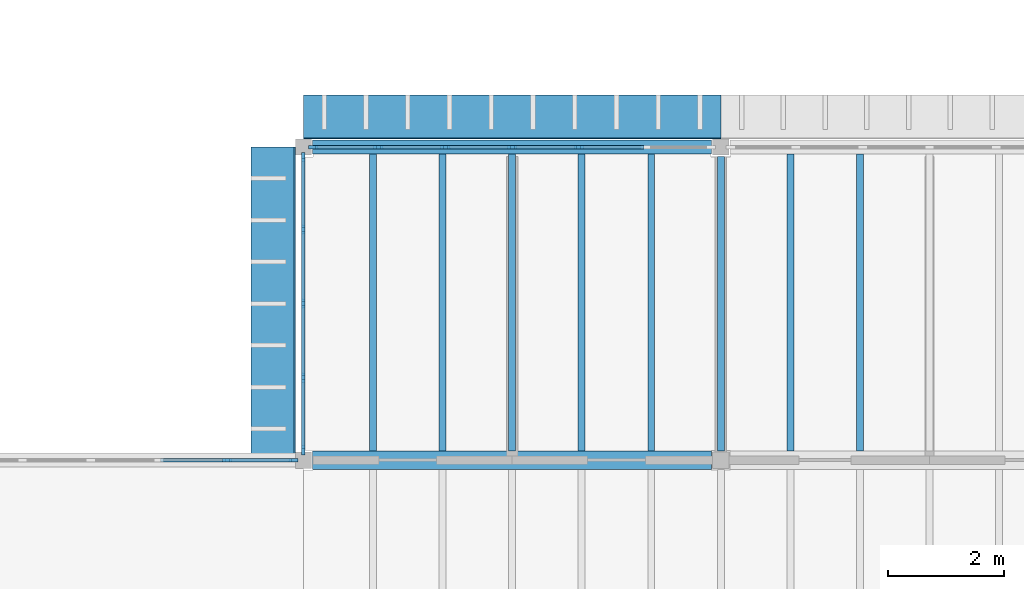
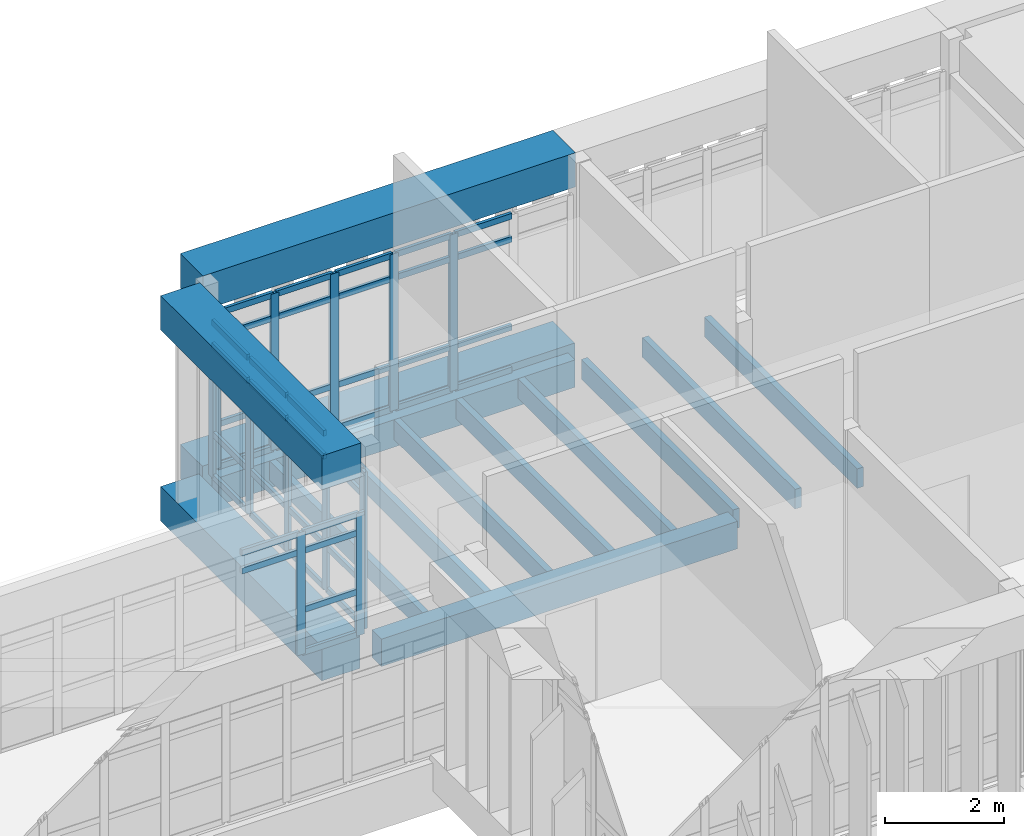
# One storey, part 13 of 51: 58 members, 10 beams, 3 elements without a shape of their own.
"""IFC4 building model written with IfcOpenShell, lengths in metres."""

from ifc_helpers import new_model, si_unit, direction, frame, origin, origin_2d, place, context, subcontext, project, spatial, rectangle, extrude, material, layer, layer_set, material_profile, profile_set, type_object, element, aggregate, save


model = new_model("IFC4")

# Units and contexts
model_context = context("Model", 3, precision=1e-05, world=origin(), true_north=direction((0.0, 1.0)))
body_context = subcontext(model_context, "Body", "Model", "MODEL_VIEW")
ifc_project = project(units=[si_unit("LENGTHUNIT", "METRE"), si_unit("AREAUNIT", "SQUARE_METRE"), si_unit("VOLUMEUNIT", "CUBIC_METRE"), si_unit("PLANEANGLEUNIT", "RADIAN"), si_unit("MASSUNIT", "GRAM", prefix="KILO")], contexts=[model_context])

# Site, building, storey
site_placement = place(None, origin())
site = spatial("IfcSite", under=ifc_project, at=site_placement, CompositionType="ELEMENT")
building_placement = place(site_placement, origin())
building = spatial("IfcBuilding", under=site, at=building_placement, Name="Mazhai Court Health Centre", CompositionType="ELEMENT")
storey_placement = place(building_placement, frame((0.0, 0.0, 14.10009765625)))
storey = spatial("IfcBuildingStorey", under=building, at=storey_placement, Name="L03", CompositionType="ELEMENT", Elevation=14.10009765625)

# Curtain wall, members
ifc_material_1 = material(Name="Teak timber frame, glazed", Category="wood")
ifc_layer = layer(ifc_material_1, 0.10009765625)
ifc_layer_set = layer_set([ifc_layer], Name="CURTAIN WALL TIMBER 1200")
curtain_wall_type = type_object("IfcCurtainWallType", Name="CURTAIN WALL TIMBER 1200", PredefinedType="NOTDEFINED", material=ifc_layer_set)
curtain_wall_1_placement = place(storey_placement, origin())
curtain_wall_1 = element("IfcCurtainWall", 1, at=curtain_wall_1_placement, inside=storey, type_object=curtain_wall_type, Name="CW-V4-L03-B5", PredefinedType="NOTDEFINED")
ifc_material_2 = material(Name="Teak timber", Category="wood")
ifc_material_profile_1 = material_profile(ifc_material_2, rectangle(XDim=0.06005859375, YDim=0.159912109375, at=origin_2d()), Name="CW MULLION 60x160")
ifc_profile_set_1 = profile_set([ifc_material_profile_1], Name="Teak timber")
member_type_1 = type_object("IfcMemberType", Name="CW MULLION 60x160", PredefinedType="MULLION", material=ifc_profile_set_1)
member_1_placement = place(storey_placement, frame((107.169921875, 27.800048828125, 0.0), z_axis=(0.0, 0.0, 1.0), x_axis=(0.0, 1.0, 0.0)))
member_1 = element("IfcMember", 2, at=member_1_placement, type_object=member_type_1, Name="CW mullion 1", PredefinedType="MULLION", context=body_context, shape_type="SweptSolid", body=[
    extrude(rectangle(XDim=0.06005859375, YDim=0.159912109375, at=origin_2d()), origin(), (0.0, 0.0, 1.0), 3.199951171875),
])
member_2_placement = place(storey_placement, frame((108.293212890625, 27.800048828125, 0.0), z_axis=(0.0, 0.0, 1.0), x_axis=(0.0, 1.0, 0.0)))
member_2 = element("IfcMember", 3, at=member_2_placement, type_object=member_type_1, Name="CW mullion 2", PredefinedType="MULLION", context=body_context, shape_type="SweptSolid", body=[
    extrude(rectangle(XDim=0.06005859375, YDim=0.159912109375, at=origin_2d()), origin(), (0.0, 0.0, 1.0), 3.199951171875),
])
member_3_placement = place(storey_placement, frame((109.44677734375, 27.800048828125, 0.0), z_axis=(0.0, 0.0, 1.0), x_axis=(0.0, 1.0, 0.0)))
member_3 = element("IfcMember", 4, at=member_3_placement, type_object=member_type_1, Name="CW mullion 3", PredefinedType="MULLION", context=body_context, shape_type="SweptSolid", body=[
    extrude(rectangle(XDim=0.06005859375, YDim=0.159912109375, at=origin_2d()), origin(), (0.0, 0.0, 1.0), 3.199951171875),
])
member_4_placement = place(storey_placement, frame((110.60009765625, 27.800048828125, 0.0), z_axis=(0.0, 0.0, 1.0), x_axis=(0.0, 1.0, 0.0)))
member_4 = element("IfcMember", 5, at=member_4_placement, type_object=member_type_1, Name="CW mullion 4", PredefinedType="MULLION", context=body_context, shape_type="SweptSolid", body=[
    extrude(rectangle(XDim=0.06005859375, YDim=0.159912109375, at=origin_2d()), origin(), (0.0, 0.0, 1.0), 3.199951171875),
])
member_5_placement = place(storey_placement, frame((111.75341796875, 27.800048828125, 0.0), z_axis=(0.0, 0.0, 1.0), x_axis=(0.0, 1.0, 0.0)))
member_5 = element("IfcMember", 6, at=member_5_placement, type_object=member_type_1, Name="CW mullion 5", PredefinedType="MULLION", context=body_context, shape_type="SweptSolid", body=[
    extrude(rectangle(XDim=0.06005859375, YDim=0.159912109375, at=origin_2d()), origin(), (0.0, 0.0, 1.0), 3.199951171875),
])

curtain_wall_2_placement = place(storey_placement, origin())
curtain_wall_2 = element("IfcCurtainWall", 7, at=curtain_wall_2_placement, inside=storey, type_object=curtain_wall_type, Name="CW-V4-L03-CW5-1", PredefinedType="NOTDEFINED")
member_6_placement = place(storey_placement, frame((107.0, 22.570068359375, 0.0), z_axis=(0.0, 0.0, 1.0), x_axis=(-1.0, 0.0, 0.0)))
member_6 = element("IfcMember", 8, at=member_6_placement, type_object=member_type_1, Name="CW mullion 1", PredefinedType="MULLION", context=body_context, shape_type="SweptSolid", body=[
    extrude(rectangle(XDim=0.06005859375, YDim=0.159912109375, at=origin_2d()), origin(), (0.0, 0.0, 1.0), 3.199951171875),
])
member_7_placement = place(storey_placement, frame((107.0, 23.820068359375, 0.0), z_axis=(0.0, 0.0, 1.0), x_axis=(-1.0, 0.0, 0.0)))
member_7 = element("IfcMember", 9, at=member_7_placement, type_object=member_type_1, Name="CW mullion 2", PredefinedType="MULLION", context=body_context, shape_type="SweptSolid", body=[
    extrude(rectangle(XDim=0.06005859375, YDim=0.159912109375, at=origin_2d()), origin(), (0.0, 0.0, 1.0), 3.199951171875),
])
member_8_placement = place(storey_placement, frame((107.0, 25.10009765625, 0.0), z_axis=(0.0, 0.0, 1.0), x_axis=(-1.0, 0.0, 0.0)))
member_8 = element("IfcMember", 10, at=member_8_placement, type_object=member_type_1, Name="CW mullion 3", PredefinedType="MULLION", context=body_context, shape_type="SweptSolid", body=[
    extrude(rectangle(XDim=0.06005859375, YDim=0.159912109375, at=origin_2d()), origin(), (0.0, 0.0, 1.0), 3.199951171875),
])
member_9_placement = place(storey_placement, frame((107.0, 26.3798828125, 0.0), z_axis=(0.0, 0.0, 1.0), x_axis=(-1.0, 0.0, 0.0)))
member_9 = element("IfcMember", 11, at=member_9_placement, type_object=member_type_1, Name="CW mullion 4", PredefinedType="MULLION", context=body_context, shape_type="SweptSolid", body=[
    extrude(rectangle(XDim=0.06005859375, YDim=0.159912109375, at=origin_2d()), origin(), (0.0, 0.0, 1.0), 3.199951171875),
])
member_10_placement = place(storey_placement, frame((107.0, 27.6298828125, 0.0), z_axis=(0.0, 0.0, 1.0), x_axis=(-1.0, 0.0, 0.0)))
member_10 = element("IfcMember", 12, at=member_10_placement, type_object=member_type_1, Name="CW mullion 5", PredefinedType="MULLION", context=body_context, shape_type="SweptSolid", body=[
    extrude(rectangle(XDim=0.06005859375, YDim=0.159912109375, at=origin_2d()), origin(), (0.0, 0.0, 1.0), 3.199951171875),
])

curtain_wall_3_placement = place(storey_placement, origin())
curtain_wall_3 = element("IfcCurtainWall", 13, at=curtain_wall_3_placement, inside=storey, type_object=curtain_wall_type, Name="CW-BR-LC3-N", PredefinedType="NOTDEFINED")
member_11_placement = place(storey_placement, frame((105.683349609375, 22.39990234375, 0.0), z_axis=(0.0, 0.0, 1.0), x_axis=(0.0, 1.0, 0.0)))
member_11 = element("IfcMember", 14, at=member_11_placement, type_object=member_type_1, Name="CW mullion 12", PredefinedType="MULLION", context=body_context, shape_type="SweptSolid", body=[
    extrude(rectangle(XDim=0.06005859375, YDim=0.159912109375, at=origin_2d()), origin(), (0.0, 0.0, 1.0), 2.5048828125),
])
member_12_placement = place(storey_placement, frame((106.830078125, 22.39990234375, 0.0), z_axis=(0.0, 0.0, 1.0), x_axis=(0.0, 1.0, 0.0)))
member_12 = element("IfcMember", 15, at=member_12_placement, type_object=member_type_1, Name="CW mullion 13", PredefinedType="MULLION", context=body_context, shape_type="SweptSolid", body=[
    extrude(rectangle(XDim=0.06005859375, YDim=0.159912109375, at=origin_2d()), origin(), (0.0, 0.0, 1.0), 2.5048828125),
])

# Member
ifc_material_3 = material(Name="Teak timber", Category="wood")
ifc_material_profile_2 = material_profile(ifc_material_3, rectangle(XDim=0.06005859375, YDim=0.1201171875, at=origin_2d()), Name="CW TRANSOM 60x120")
ifc_profile_set_2 = profile_set([ifc_material_profile_2], Name="Teak timber")
member_type_2 = type_object("IfcMemberType", Name="CW TRANSOM 60x120", PredefinedType="USERDEFINED", material=ifc_profile_set_2)
member_13_placement = place(storey_placement, frame((107.199951171875, 27.800048828125, 0.02978515625), z_axis=(1.0, 0.0, 0.0), x_axis=(0.0, 1.0, 0.0)))
member_13 = element("IfcMember", 16, at=member_13_placement, type_object=member_type_2, Name="CW transom 1.1", ObjectType="TRANSOM", PredefinedType="USERDEFINED", context=body_context, shape_type="SweptSolid", body=[
    extrude(rectangle(XDim=0.06005859375, YDim=0.1201171875, at=origin_2d()), origin(), (0.0, 0.0, 1.0), 1.0634765625),
])

member_14_placement = place(storey_placement, frame((107.199951171875, 27.800048828125, 0.89990234375), z_axis=(1.0, 0.0, 0.0), x_axis=(0.0, 1.0, 0.0)))
member_14 = element("IfcMember", 17, at=member_14_placement, type_object=member_type_2, Name="CW transom 1.2", ObjectType="TRANSOM", PredefinedType="USERDEFINED", context=body_context, shape_type="SweptSolid", body=[
    extrude(rectangle(XDim=0.06005859375, YDim=0.1201171875, at=origin_2d()), origin(), (0.0, 0.0, 1.0), 1.0634765625),
])

member_15_placement = place(storey_placement, frame((107.199951171875, 27.800048828125, 2.699951171875), z_axis=(1.0, 0.0, 0.0), x_axis=(0.0, 1.0, 0.0)))
member_15 = element("IfcMember", 18, at=member_15_placement, type_object=member_type_2, Name="CW transom 1.3", ObjectType="TRANSOM", PredefinedType="USERDEFINED", context=body_context, shape_type="SweptSolid", body=[
    extrude(rectangle(XDim=0.06005859375, YDim=0.1201171875, at=origin_2d()), origin(), (0.0, 0.0, 1.0), 1.0634765625),
])

member_16_placement = place(storey_placement, frame((107.199951171875, 27.800048828125, 3.169921875), z_axis=(1.0, 0.0, 0.0), x_axis=(0.0, 1.0, 0.0)))
member_16 = element("IfcMember", 19, at=member_16_placement, type_object=member_type_2, Name="CW transom 1.4", ObjectType="TRANSOM", PredefinedType="USERDEFINED", context=body_context, shape_type="SweptSolid", body=[
    extrude(rectangle(XDim=0.06005859375, YDim=0.1201171875, at=origin_2d()), origin(), (0.0, 0.0, 1.0), 1.0634765625),
])

member_17_placement = place(storey_placement, frame((108.3232421875, 27.800048828125, 0.02978515625), z_axis=(1.0, 0.0, 0.0), x_axis=(0.0, 1.0, 0.0)))
member_17 = element("IfcMember", 20, at=member_17_placement, type_object=member_type_2, Name="CW transom 2.1", ObjectType="TRANSOM", PredefinedType="USERDEFINED", context=body_context, shape_type="SweptSolid", body=[
    extrude(rectangle(XDim=0.06005859375, YDim=0.1201171875, at=origin_2d()), origin(), (0.0, 0.0, 1.0), 1.093505859375),
])

member_18_placement = place(storey_placement, frame((108.3232421875, 27.800048828125, 0.89990234375), z_axis=(1.0, 0.0, 0.0), x_axis=(0.0, 1.0, 0.0)))
member_18 = element("IfcMember", 21, at=member_18_placement, type_object=member_type_2, Name="CW transom 2.2", ObjectType="TRANSOM", PredefinedType="USERDEFINED", context=body_context, shape_type="SweptSolid", body=[
    extrude(rectangle(XDim=0.06005859375, YDim=0.1201171875, at=origin_2d()), origin(), (0.0, 0.0, 1.0), 1.093505859375),
])

member_19_placement = place(storey_placement, frame((108.3232421875, 27.800048828125, 2.699951171875), z_axis=(1.0, 0.0, 0.0), x_axis=(0.0, 1.0, 0.0)))
member_19 = element("IfcMember", 22, at=member_19_placement, type_object=member_type_2, Name="CW transom 2.3", ObjectType="TRANSOM", PredefinedType="USERDEFINED", context=body_context, shape_type="SweptSolid", body=[
    extrude(rectangle(XDim=0.06005859375, YDim=0.1201171875, at=origin_2d()), origin(), (0.0, 0.0, 1.0), 1.093505859375),
])

member_20_placement = place(storey_placement, frame((108.3232421875, 27.800048828125, 3.169921875), z_axis=(1.0, 0.0, 0.0), x_axis=(0.0, 1.0, 0.0)))
member_20 = element("IfcMember", 23, at=member_20_placement, type_object=member_type_2, Name="CW transom 2.4", ObjectType="TRANSOM", PredefinedType="USERDEFINED", context=body_context, shape_type="SweptSolid", body=[
    extrude(rectangle(XDim=0.06005859375, YDim=0.1201171875, at=origin_2d()), origin(), (0.0, 0.0, 1.0), 1.093505859375),
])

member_21_placement = place(storey_placement, frame((109.4765625, 27.800048828125, 0.02978515625), z_axis=(1.0, 0.0, 0.0), x_axis=(0.0, 1.0, 0.0)))
member_21 = element("IfcMember", 24, at=member_21_placement, type_object=member_type_2, Name="CW transom 3.1", ObjectType="TRANSOM", PredefinedType="USERDEFINED", context=body_context, shape_type="SweptSolid", body=[
    extrude(rectangle(XDim=0.06005859375, YDim=0.1201171875, at=origin_2d()), origin(), (0.0, 0.0, 1.0), 1.093505859375),
])

member_22_placement = place(storey_placement, frame((109.4765625, 27.800048828125, 0.89990234375), z_axis=(1.0, 0.0, 0.0), x_axis=(0.0, 1.0, 0.0)))
member_22 = element("IfcMember", 25, at=member_22_placement, type_object=member_type_2, Name="CW transom 3.2", ObjectType="TRANSOM", PredefinedType="USERDEFINED", context=body_context, shape_type="SweptSolid", body=[
    extrude(rectangle(XDim=0.06005859375, YDim=0.1201171875, at=origin_2d()), origin(), (0.0, 0.0, 1.0), 1.093505859375),
])

member_23_placement = place(storey_placement, frame((109.4765625, 27.800048828125, 2.699951171875), z_axis=(1.0, 0.0, 0.0), x_axis=(0.0, 1.0, 0.0)))
member_23 = element("IfcMember", 26, at=member_23_placement, type_object=member_type_2, Name="CW transom 3.3", ObjectType="TRANSOM", PredefinedType="USERDEFINED", context=body_context, shape_type="SweptSolid", body=[
    extrude(rectangle(XDim=0.06005859375, YDim=0.1201171875, at=origin_2d()), origin(), (0.0, 0.0, 1.0), 1.093505859375),
])

member_24_placement = place(storey_placement, frame((109.4765625, 27.800048828125, 3.169921875), z_axis=(1.0, 0.0, 0.0), x_axis=(0.0, 1.0, 0.0)))
member_24 = element("IfcMember", 27, at=member_24_placement, type_object=member_type_2, Name="CW transom 3.4", ObjectType="TRANSOM", PredefinedType="USERDEFINED", context=body_context, shape_type="SweptSolid", body=[
    extrude(rectangle(XDim=0.06005859375, YDim=0.1201171875, at=origin_2d()), origin(), (0.0, 0.0, 1.0), 1.093505859375),
])

member_25_placement = place(storey_placement, frame((110.6298828125, 27.800048828125, 0.02978515625), z_axis=(1.0, 0.0, 0.0), x_axis=(0.0, 1.0, 0.0)))
member_25 = element("IfcMember", 28, at=member_25_placement, type_object=member_type_2, Name="CW transom 4.1", ObjectType="TRANSOM", PredefinedType="USERDEFINED", context=body_context, shape_type="SweptSolid", body=[
    extrude(rectangle(XDim=0.06005859375, YDim=0.1201171875, at=origin_2d()), origin(), (0.0, 0.0, 1.0), 1.093505859375),
])

member_26_placement = place(storey_placement, frame((110.6298828125, 27.800048828125, 0.89990234375), z_axis=(1.0, 0.0, 0.0), x_axis=(0.0, 1.0, 0.0)))
member_26 = element("IfcMember", 29, at=member_26_placement, type_object=member_type_2, Name="CW transom 4.2", ObjectType="TRANSOM", PredefinedType="USERDEFINED", context=body_context, shape_type="SweptSolid", body=[
    extrude(rectangle(XDim=0.06005859375, YDim=0.1201171875, at=origin_2d()), origin(), (0.0, 0.0, 1.0), 1.093505859375),
])

member_27_placement = place(storey_placement, frame((110.6298828125, 27.800048828125, 2.699951171875), z_axis=(1.0, 0.0, 0.0), x_axis=(0.0, 1.0, 0.0)))
member_27 = element("IfcMember", 30, at=member_27_placement, type_object=member_type_2, Name="CW transom 4.3", ObjectType="TRANSOM", PredefinedType="USERDEFINED", context=body_context, shape_type="SweptSolid", body=[
    extrude(rectangle(XDim=0.06005859375, YDim=0.1201171875, at=origin_2d()), origin(), (0.0, 0.0, 1.0), 1.093505859375),
])

member_28_placement = place(storey_placement, frame((110.6298828125, 27.800048828125, 3.169921875), z_axis=(1.0, 0.0, 0.0), x_axis=(0.0, 1.0, 0.0)))
member_28 = element("IfcMember", 31, at=member_28_placement, type_object=member_type_2, Name="CW transom 4.4", ObjectType="TRANSOM", PredefinedType="USERDEFINED", context=body_context, shape_type="SweptSolid", body=[
    extrude(rectangle(XDim=0.06005859375, YDim=0.1201171875, at=origin_2d()), origin(), (0.0, 0.0, 1.0), 1.093505859375),
])

member_29_placement = place(storey_placement, frame((111.783447265625, 27.800048828125, 0.02978515625), z_axis=(1.0, 0.0, 0.0), x_axis=(0.0, 1.0, 0.0)))
member_29 = element("IfcMember", 32, at=member_29_placement, type_object=member_type_2, Name="CW transom 5.1", ObjectType="TRANSOM", PredefinedType="USERDEFINED", context=body_context, shape_type="SweptSolid", body=[
    extrude(rectangle(XDim=0.06005859375, YDim=0.1201171875, at=origin_2d()), origin(), (0.0, 0.0, 1.0), 1.09326171875),
])

member_30_placement = place(storey_placement, frame((111.783447265625, 27.800048828125, 0.89990234375), z_axis=(1.0, 0.0, 0.0), x_axis=(0.0, 1.0, 0.0)))
member_30 = element("IfcMember", 33, at=member_30_placement, type_object=member_type_2, Name="CW transom 5.2", ObjectType="TRANSOM", PredefinedType="USERDEFINED", context=body_context, shape_type="SweptSolid", body=[
    extrude(rectangle(XDim=0.06005859375, YDim=0.1201171875, at=origin_2d()), origin(), (0.0, 0.0, 1.0), 1.09326171875),
])

member_31_placement = place(storey_placement, frame((111.783447265625, 27.800048828125, 2.699951171875), z_axis=(1.0, 0.0, 0.0), x_axis=(0.0, 1.0, 0.0)))
member_31 = element("IfcMember", 34, at=member_31_placement, type_object=member_type_2, Name="CW transom 5.3", ObjectType="TRANSOM", PredefinedType="USERDEFINED", context=body_context, shape_type="SweptSolid", body=[
    extrude(rectangle(XDim=0.06005859375, YDim=0.1201171875, at=origin_2d()), origin(), (0.0, 0.0, 1.0), 1.09326171875),
])

member_32_placement = place(storey_placement, frame((111.783447265625, 27.800048828125, 3.169921875), z_axis=(1.0, 0.0, 0.0), x_axis=(0.0, 1.0, 0.0)))
member_32 = element("IfcMember", 35, at=member_32_placement, type_object=member_type_2, Name="CW transom 5.4", ObjectType="TRANSOM", PredefinedType="USERDEFINED", context=body_context, shape_type="SweptSolid", body=[
    extrude(rectangle(XDim=0.06005859375, YDim=0.1201171875, at=origin_2d()), origin(), (0.0, 0.0, 1.0), 1.09326171875),
])

aggregate(curtain_wall_1, [member_1, member_2, member_3, member_4, member_5, member_13, member_14, member_15, member_16, member_17, member_18, member_19, member_20, member_21, member_22, member_23, member_24, member_25, member_26, member_27, member_28, member_29, member_30, member_31, member_32])

member_33_placement = place(storey_placement, frame((107.0, 22.60009765625, 0.02978515625), z_axis=(0.0, 1.0, 0.0), x_axis=(-1.0, 0.0, 0.0)))
member_33 = element("IfcMember", 36, at=member_33_placement, type_object=member_type_2, Name="CW transom 1.1", ObjectType="TRANSOM", PredefinedType="USERDEFINED", context=body_context, shape_type="SweptSolid", body=[
    extrude(rectangle(XDim=0.06005859375, YDim=0.1201171875, at=origin_2d()), origin(), (0.0, 0.0, 1.0), 1.18994140625),
])

member_34_placement = place(storey_placement, frame((107.0, 22.60009765625, 0.89990234375), z_axis=(0.0, 1.0, 0.0), x_axis=(-1.0, 0.0, 0.0)))
member_34 = element("IfcMember", 37, at=member_34_placement, type_object=member_type_2, Name="CW transom 1.2", ObjectType="TRANSOM", PredefinedType="USERDEFINED", context=body_context, shape_type="SweptSolid", body=[
    extrude(rectangle(XDim=0.06005859375, YDim=0.1201171875, at=origin_2d()), origin(), (0.0, 0.0, 1.0), 1.18994140625),
])

member_35_placement = place(storey_placement, frame((107.0, 22.60009765625, 2.699951171875), z_axis=(0.0, 1.0, 0.0), x_axis=(-1.0, 0.0, 0.0)))
member_35 = element("IfcMember", 38, at=member_35_placement, type_object=member_type_2, Name="CW transom 1.3", ObjectType="TRANSOM", PredefinedType="USERDEFINED", context=body_context, shape_type="SweptSolid", body=[
    extrude(rectangle(XDim=0.06005859375, YDim=0.1201171875, at=origin_2d()), origin(), (0.0, 0.0, 1.0), 1.18994140625),
])

member_36_placement = place(storey_placement, frame((107.0, 22.60009765625, 3.169921875), z_axis=(0.0, 1.0, 0.0), x_axis=(-1.0, 0.0, 0.0)))
member_36 = element("IfcMember", 39, at=member_36_placement, type_object=member_type_2, Name="CW transom 1.4", ObjectType="TRANSOM", PredefinedType="USERDEFINED", context=body_context, shape_type="SweptSolid", body=[
    extrude(rectangle(XDim=0.06005859375, YDim=0.1201171875, at=origin_2d()), origin(), (0.0, 0.0, 1.0), 1.18994140625),
])

member_37_placement = place(storey_placement, frame((107.0, 23.85009765625, 0.02978515625), z_axis=(0.0, 1.0, 0.0), x_axis=(-1.0, 0.0, 0.0)))
member_37 = element("IfcMember", 40, at=member_37_placement, type_object=member_type_2, Name="CW transom 2.1", ObjectType="TRANSOM", PredefinedType="USERDEFINED", context=body_context, shape_type="SweptSolid", body=[
    extrude(rectangle(XDim=0.06005859375, YDim=0.1201171875, at=origin_2d()), origin(), (0.0, 0.0, 1.0), 1.219970703125),
])

member_38_placement = place(storey_placement, frame((107.0, 23.85009765625, 0.89990234375), z_axis=(0.0, 1.0, 0.0), x_axis=(-1.0, 0.0, 0.0)))
member_38 = element("IfcMember", 41, at=member_38_placement, type_object=member_type_2, Name="CW transom 2.2", ObjectType="TRANSOM", PredefinedType="USERDEFINED", context=body_context, shape_type="SweptSolid", body=[
    extrude(rectangle(XDim=0.06005859375, YDim=0.1201171875, at=origin_2d()), origin(), (0.0, 0.0, 1.0), 1.219970703125),
])

member_39_placement = place(storey_placement, frame((107.0, 23.85009765625, 2.699951171875), z_axis=(0.0, 1.0, 0.0), x_axis=(-1.0, 0.0, 0.0)))
member_39 = element("IfcMember", 42, at=member_39_placement, type_object=member_type_2, Name="CW transom 2.3", ObjectType="TRANSOM", PredefinedType="USERDEFINED", context=body_context, shape_type="SweptSolid", body=[
    extrude(rectangle(XDim=0.06005859375, YDim=0.1201171875, at=origin_2d()), origin(), (0.0, 0.0, 1.0), 1.219970703125),
])

member_40_placement = place(storey_placement, frame((107.0, 23.85009765625, 3.169921875), z_axis=(0.0, 1.0, 0.0), x_axis=(-1.0, 0.0, 0.0)))
member_40 = element("IfcMember", 43, at=member_40_placement, type_object=member_type_2, Name="CW transom 2.4", ObjectType="TRANSOM", PredefinedType="USERDEFINED", context=body_context, shape_type="SweptSolid", body=[
    extrude(rectangle(XDim=0.06005859375, YDim=0.1201171875, at=origin_2d()), origin(), (0.0, 0.0, 1.0), 1.219970703125),
])

member_41_placement = place(storey_placement, frame((107.0, 25.1298828125, 0.02978515625), z_axis=(0.0, 1.0, 0.0), x_axis=(-1.0, 0.0, 0.0)))
member_41 = element("IfcMember", 44, at=member_41_placement, type_object=member_type_2, Name="CW transom 3.1", ObjectType="TRANSOM", PredefinedType="USERDEFINED", context=body_context, shape_type="SweptSolid", body=[
    extrude(rectangle(XDim=0.06005859375, YDim=0.1201171875, at=origin_2d()), origin(), (0.0, 0.0, 1.0), 1.22021484375),
])

member_42_placement = place(storey_placement, frame((107.0, 25.1298828125, 0.89990234375), z_axis=(0.0, 1.0, 0.0), x_axis=(-1.0, 0.0, 0.0)))
member_42 = element("IfcMember", 45, at=member_42_placement, type_object=member_type_2, Name="CW transom 3.2", ObjectType="TRANSOM", PredefinedType="USERDEFINED", context=body_context, shape_type="SweptSolid", body=[
    extrude(rectangle(XDim=0.06005859375, YDim=0.1201171875, at=origin_2d()), origin(), (0.0, 0.0, 1.0), 1.22021484375),
])

member_43_placement = place(storey_placement, frame((107.0, 25.1298828125, 2.699951171875), z_axis=(0.0, 1.0, 0.0), x_axis=(-1.0, 0.0, 0.0)))
member_43 = element("IfcMember", 46, at=member_43_placement, type_object=member_type_2, Name="CW transom 3.3", ObjectType="TRANSOM", PredefinedType="USERDEFINED", context=body_context, shape_type="SweptSolid", body=[
    extrude(rectangle(XDim=0.06005859375, YDim=0.1201171875, at=origin_2d()), origin(), (0.0, 0.0, 1.0), 1.22021484375),
])

member_44_placement = place(storey_placement, frame((107.0, 25.1298828125, 3.169921875), z_axis=(0.0, 1.0, 0.0), x_axis=(-1.0, 0.0, 0.0)))
member_44 = element("IfcMember", 47, at=member_44_placement, type_object=member_type_2, Name="CW transom 3.4", ObjectType="TRANSOM", PredefinedType="USERDEFINED", context=body_context, shape_type="SweptSolid", body=[
    extrude(rectangle(XDim=0.06005859375, YDim=0.1201171875, at=origin_2d()), origin(), (0.0, 0.0, 1.0), 1.22021484375),
])

member_45_placement = place(storey_placement, frame((107.0, 26.409912109375, 0.02978515625), z_axis=(0.0, 1.0, 0.0), x_axis=(-1.0, 0.0, 0.0)))
member_45 = element("IfcMember", 48, at=member_45_placement, type_object=member_type_2, Name="CW transom 4.1", ObjectType="TRANSOM", PredefinedType="USERDEFINED", context=body_context, shape_type="SweptSolid", body=[
    extrude(rectangle(XDim=0.06005859375, YDim=0.1201171875, at=origin_2d()), origin(), (0.0, 0.0, 1.0), 1.190185546875),
])

member_46_placement = place(storey_placement, frame((107.0, 26.409912109375, 0.89990234375), z_axis=(0.0, 1.0, 0.0), x_axis=(-1.0, 0.0, 0.0)))
member_46 = element("IfcMember", 49, at=member_46_placement, type_object=member_type_2, Name="CW transom 4.2", ObjectType="TRANSOM", PredefinedType="USERDEFINED", context=body_context, shape_type="SweptSolid", body=[
    extrude(rectangle(XDim=0.06005859375, YDim=0.1201171875, at=origin_2d()), origin(), (0.0, 0.0, 1.0), 1.190185546875),
])

member_47_placement = place(storey_placement, frame((107.0, 26.409912109375, 2.699951171875), z_axis=(0.0, 1.0, 0.0), x_axis=(-1.0, 0.0, 0.0)))
member_47 = element("IfcMember", 50, at=member_47_placement, type_object=member_type_2, Name="CW transom 4.3", ObjectType="TRANSOM", PredefinedType="USERDEFINED", context=body_context, shape_type="SweptSolid", body=[
    extrude(rectangle(XDim=0.06005859375, YDim=0.1201171875, at=origin_2d()), origin(), (0.0, 0.0, 1.0), 1.190185546875),
])

member_48_placement = place(storey_placement, frame((107.0, 26.409912109375, 3.169921875), z_axis=(0.0, 1.0, 0.0), x_axis=(-1.0, 0.0, 0.0)))
member_48 = element("IfcMember", 51, at=member_48_placement, type_object=member_type_2, Name="CW transom 4.4", ObjectType="TRANSOM", PredefinedType="USERDEFINED", context=body_context, shape_type="SweptSolid", body=[
    extrude(rectangle(XDim=0.06005859375, YDim=0.1201171875, at=origin_2d()), origin(), (0.0, 0.0, 1.0), 1.190185546875),
])

aggregate(curtain_wall_2, [member_6, member_7, member_8, member_9, member_10, member_33, member_34, member_35, member_36, member_37, member_38, member_39, member_40, member_41, member_42, member_43, member_44, member_45, member_46, member_47, member_48])

member_49_placement = place(storey_placement, frame((104.53662109375, 22.39990234375, 2.10498046875), z_axis=(1.0, 0.0, 0.0), x_axis=(0.0, 1.0, 0.0)))
member_49 = element("IfcMember", 52, at=member_49_placement, type_object=member_type_2, Name="CW transom 11.3", ObjectType="TRANSOM", PredefinedType="USERDEFINED", context=body_context, shape_type="SweptSolid", body=[
    extrude(rectangle(XDim=0.06005859375, YDim=0.1201171875, at=origin_2d()), origin(), (0.0, 0.0, 1.0), 1.11669921875),
])

member_50_placement = place(storey_placement, frame((104.53662109375, 22.39990234375, 2.474853515625), z_axis=(1.0, 0.0, 0.0), x_axis=(0.0, 1.0, 0.0)))
member_50 = element("IfcMember", 53, at=member_50_placement, type_object=member_type_2, Name="CW transom 11.4", ObjectType="TRANSOM", PredefinedType="USERDEFINED", context=body_context, shape_type="SweptSolid", body=[
    extrude(rectangle(XDim=0.06005859375, YDim=0.1201171875, at=origin_2d()), origin(), (0.0, 0.0, 1.0), 1.11669921875),
])

member_51_placement = place(storey_placement, frame((105.71337890625, 22.39990234375, 0.02978515625), z_axis=(1.0, 0.0, 0.0), x_axis=(0.0, 1.0, 0.0)))
member_51 = element("IfcMember", 54, at=member_51_placement, type_object=member_type_2, Name="CW transom 12.1", ObjectType="TRANSOM", PredefinedType="USERDEFINED", context=body_context, shape_type="SweptSolid", body=[
    extrude(rectangle(XDim=0.06005859375, YDim=0.1201171875, at=origin_2d()), origin(), (0.0, 0.0, 1.0), 1.086669921875),
])

member_52_placement = place(storey_placement, frame((105.71337890625, 22.39990234375, 0.89990234375), z_axis=(1.0, 0.0, 0.0), x_axis=(0.0, 1.0, 0.0)))
member_52 = element("IfcMember", 55, at=member_52_placement, type_object=member_type_2, Name="CW transom 12.2", ObjectType="TRANSOM", PredefinedType="USERDEFINED", context=body_context, shape_type="SweptSolid", body=[
    extrude(rectangle(XDim=0.06005859375, YDim=0.1201171875, at=origin_2d()), origin(), (0.0, 0.0, 1.0), 1.086669921875),
])

member_53_placement = place(storey_placement, frame((105.71337890625, 22.39990234375, 2.10498046875), z_axis=(1.0, 0.0, 0.0), x_axis=(0.0, 1.0, 0.0)))
member_53 = element("IfcMember", 56, at=member_53_placement, type_object=member_type_2, Name="CW transom 12.3", ObjectType="TRANSOM", PredefinedType="USERDEFINED", context=body_context, shape_type="SweptSolid", body=[
    extrude(rectangle(XDim=0.06005859375, YDim=0.1201171875, at=origin_2d()), origin(), (0.0, 0.0, 1.0), 1.086669921875),
])

member_54_placement = place(storey_placement, frame((105.71337890625, 22.39990234375, 2.474853515625), z_axis=(1.0, 0.0, 0.0), x_axis=(0.0, 1.0, 0.0)))
member_54 = element("IfcMember", 57, at=member_54_placement, type_object=member_type_2, Name="CW transom 12.4", ObjectType="TRANSOM", PredefinedType="USERDEFINED", context=body_context, shape_type="SweptSolid", body=[
    extrude(rectangle(XDim=0.06005859375, YDim=0.1201171875, at=origin_2d()), origin(), (0.0, 0.0, 1.0), 1.086669921875),
])

aggregate(curtain_wall_3, [member_11, member_12, member_49, member_50, member_51, member_52, member_53, member_54])

# Members
ifc_material_4 = material(Name="Glulam GL24h", Category="wood")
ifc_material_profile_3 = material_profile(ifc_material_4, rectangle(XDim=0.739990234375, YDim=0.699951171875, at=origin_2d()), Name="FIN RAIL 740x700")
ifc_profile_set_3 = profile_set([ifc_material_profile_3], Name="Glulam GL24h")
member_type_3 = type_object("IfcMemberType", Name="FIN RAIL 740x700", PredefinedType="USERDEFINED", material=ifc_profile_set_3)
member_55_placement = place(storey_placement, frame((107.0, 28.330078125, -0.35009765625), z_axis=(1.0, 0.0, 0.0), x_axis=(0.0, 1.0, 0.0)))
element("IfcMember", 58, at=member_55_placement, inside=storey, type_object=member_type_3, Name="FR-V4-B3-L03", ObjectType="FIN RAIL", PredefinedType="USERDEFINED", context=body_context, shape_type="SweptSolid", body=[
    extrude(rectangle(XDim=0.739990234375, YDim=0.699951171875, at=origin_2d()), origin(), (0.0, 0.0, 1.0), 7.199951171875),
])
member_56_placement = place(storey_placement, frame((106.469970703125, 22.39990234375, -0.35009765625), z_axis=(0.0, 1.0, 0.0), x_axis=(-1.0, 0.0, 0.0)))
element("IfcMember", 59, at=member_56_placement, inside=storey, type_object=member_type_3, Name="FR-V4-CW5-1-L03", ObjectType="FIN RAIL", PredefinedType="USERDEFINED", context=body_context, shape_type="SweptSolid", body=[
    extrude(rectangle(XDim=0.739990234375, YDim=0.699951171875, at=origin_2d()), origin(), (0.0, 0.0, 1.0), 5.400146484375),
])
ifc_material_5 = material(Name="Glulam GL24h", Category="wood")
ifc_material_profile_4 = material_profile(ifc_material_5, rectangle(XDim=0.760009765625, YDim=0.699951171875, at=origin_2d()), Name="FIN RAIL 760x700")
ifc_profile_set_4 = profile_set([ifc_material_profile_4], Name="Glulam GL24h")
member_type_4 = type_object("IfcMemberType", Name="FIN RAIL 760x700", PredefinedType="USERDEFINED", material=ifc_profile_set_4)
member_57_placement = place(storey_placement, frame((107.0, 28.320068359375, 3.5498046875), z_axis=(1.0, 0.0, 0.0), x_axis=(0.0, 1.0, 0.0)))
element("IfcMember", 60, at=member_57_placement, inside=storey, type_object=member_type_4, Name="FR-V4-B3-RF", ObjectType="FIN RAIL", PredefinedType="USERDEFINED", context=body_context, shape_type="SweptSolid", body=[
    extrude(rectangle(XDim=0.760009765625, YDim=0.699951171875, at=origin_2d()), origin(), (0.0, 0.0, 1.0), 7.199951171875),
])
member_58_placement = place(storey_placement, frame((106.47998046875, 22.39990234375, 3.5498046875), z_axis=(0.0, 1.0, 0.0), x_axis=(-1.0, 0.0, 0.0)))
element("IfcMember", 61, at=member_58_placement, inside=storey, type_object=member_type_4, Name="FR-V4-CW5-1-RF", ObjectType="FIN RAIL", PredefinedType="USERDEFINED", context=body_context, shape_type="SweptSolid", body=[
    extrude(rectangle(XDim=0.760009765625, YDim=0.699951171875, at=origin_2d()), origin(), (0.0, 0.0, 1.0), 5.400146484375),
])

# Beams
ifc_material_6 = material(Name="Glulam GL24h", Category="wood")
ifc_material_profile_5 = material_profile(ifc_material_6, rectangle(XDim=0.1201171875, YDim=0.39990234375, at=origin_2d()), Name="GL24h 120x400")
ifc_profile_set_5 = profile_set([ifc_material_profile_5], Name="Glulam GL24h")
beam_type_1 = type_object("IfcBeamType", Name="GL24h 120x400 joist", PredefinedType="JOIST", material=ifc_profile_set_5)
for number, where, z_axis, x_axis, name in (
    (62, (108.199951171875, 22.56005859375, -0.320068359375), (0.0, 1.0, 0.0), (-1.0, 0.0, 0.0), "joist-V4-L03-5-C1"),
    (63, (109.39990234375, 22.56005859375, -0.320068359375), (0.0, 1.0, 0.0), (-1.0, 0.0, 0.0), "joist-V4-L03-5-C2"),
    (64, (110.60009765625, 22.56005859375, -0.320068359375), (0.0, 1.0, 0.0), (-1.0, 0.0, 0.0), "joist-V4-L03-5-C3"),
    (65, (111.800048828125, 22.56005859375, -0.320068359375), (0.0, 1.0, 0.0), (-1.0, 0.0, 0.0), "joist-V4-L03-5-C4"),
    (66, (113.0, 22.56005859375, -0.320068359375), (0.0, 1.0, 0.0), (-1.0, 0.0, 0.0), "joist-V4-L03-5-C5"),
):
    element("IfcBeam", number, at=place(storey_placement, frame(where, z_axis=z_axis, x_axis=x_axis)), inside=storey, type_object=beam_type_1, Name=name, PredefinedType="JOIST", context=body_context, shape_type="SweptSolid", body=[
        extrude(rectangle(XDim=0.1201171875, YDim=0.39990234375, at=origin_2d()), origin(), (0.0, 0.0, 1.0), 5.119873046875),
    ])
beam_1_placement = place(storey_placement, frame((114.199951171875, 22.56005859375, -0.320068359375), z_axis=(0.0, 1.0, 0.0), x_axis=(-1.0, 0.0, 0.0)))
element("IfcBeam", 67, at=beam_1_placement, inside=storey, type_object=beam_type_1, Name="joist-V4-L03-6-C0", PredefinedType="JOIST", context=body_context, shape_type="SweptSolid", body=[
    extrude(rectangle(XDim=0.1201171875, YDim=0.39990234375, at=origin_2d()), origin(), (0.0, 0.0, 1.0), 5.079833984375),
])
for number, where, z_axis, x_axis, name in (
    (68, (115.39990234375, 22.56005859375, -0.320068359375), (0.0, 1.0, 0.0), (-1.0, 0.0, 0.0), "joist-V4-L03-6-C1"),
    (69, (116.60009765625, 22.56005859375, -0.320068359375), (0.0, 1.0, 0.0), (-1.0, 0.0, 0.0), "joist-V4-L03-6-C2"),
):
    element("IfcBeam", number, at=place(storey_placement, frame(where, z_axis=z_axis, x_axis=x_axis)), inside=storey, type_object=beam_type_1, Name=name, PredefinedType="JOIST", context=body_context, shape_type="SweptSolid", body=[
        extrude(rectangle(XDim=0.1201171875, YDim=0.39990234375, at=origin_2d()), origin(), (0.0, 0.0, 1.0), 5.119873046875),
    ])
ifc_material_7 = material(Name="Glulam GL28h", Category="wood")
ifc_material_profile_6 = material_profile(ifc_material_7, rectangle(XDim=0.239990234375, YDim=0.56005859375, at=origin_2d()), Name="GL28h 240x560")
ifc_profile_set_6 = profile_set([ifc_material_profile_6], Name="Glulam GL28h")
beam_type_2 = type_object("IfcBeamType", Name="GL28h 240x560 beam", PredefinedType="BEAM", material=ifc_profile_set_6)
beam_2_placement = place(storey_placement, frame((107.159912109375, 27.800048828125, -0.400146484375), z_axis=(1.0, 0.0, 0.0), x_axis=(0.0, 1.0, 0.0)))
element("IfcBeam", 70, at=beam_2_placement, inside=storey, type_object=beam_type_2, Name="beam-V4-L03-5-D", PredefinedType="BEAM", context=body_context, shape_type="SweptSolid", body=[
    extrude(rectangle(XDim=0.239990234375, YDim=0.56005859375, at=origin_2d()), origin(), (0.0, 0.0, 1.0), 6.880126953125),
])
ifc_material_8 = material(Name="Glulam GL28h", Category="wood")
ifc_material_profile_7 = material_profile(ifc_material_8, rectangle(XDim=0.320068359375, YDim=0.56005859375, at=origin_2d()), Name="GL28h 320x560")
ifc_profile_set_7 = profile_set([ifc_material_profile_7], Name="Glulam GL28h")
beam_type_3 = type_object("IfcBeamType", Name="GL28h 320x560 beam", PredefinedType="BEAM", material=ifc_profile_set_7)
beam_3_placement = place(storey_placement, frame((107.159912109375, 22.39990234375, -0.400146484375), z_axis=(1.0, 0.0, 0.0), x_axis=(0.0, 1.0, 0.0)))
element("IfcBeam", 71, at=beam_3_placement, inside=storey, type_object=beam_type_3, Name="beam-V4-L03-5-C", PredefinedType="BEAM", context=body_context, shape_type="SweptSolid", body=[
    extrude(rectangle(XDim=0.320068359375, YDim=0.56005859375, at=origin_2d()), origin(), (0.0, 0.0, 1.0), 6.880126953125),
])

save(model, "model.ifc")
